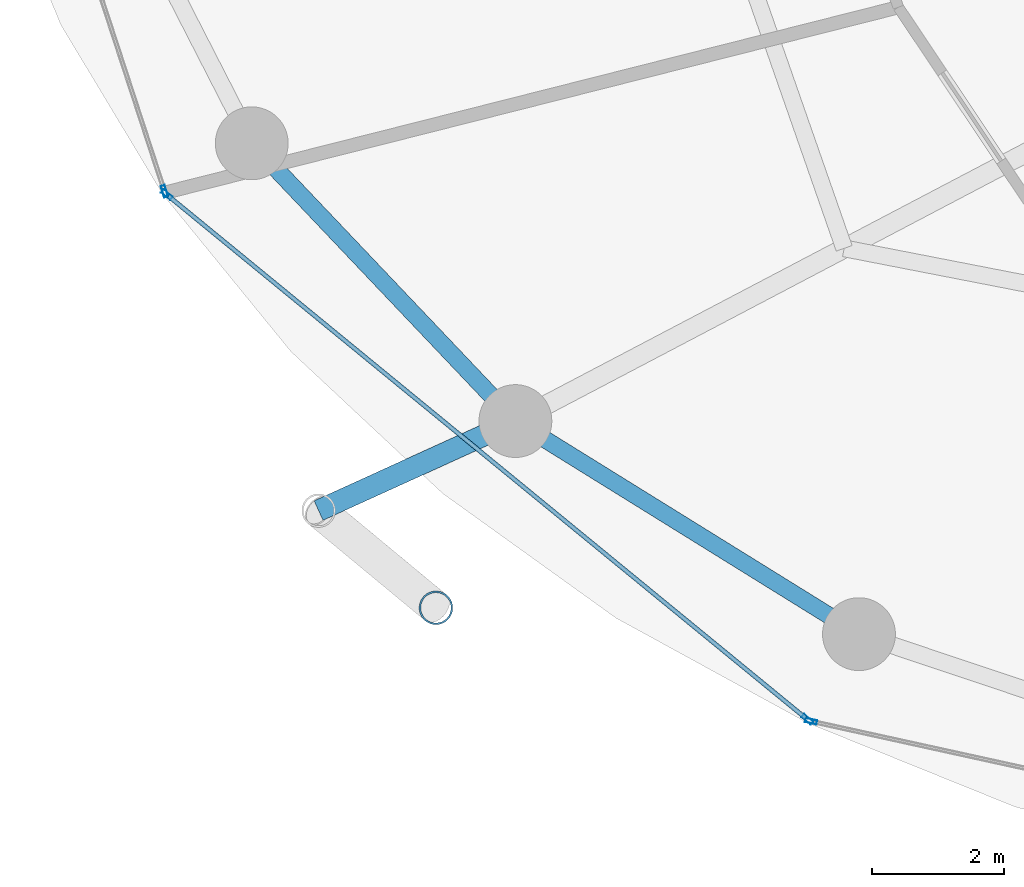
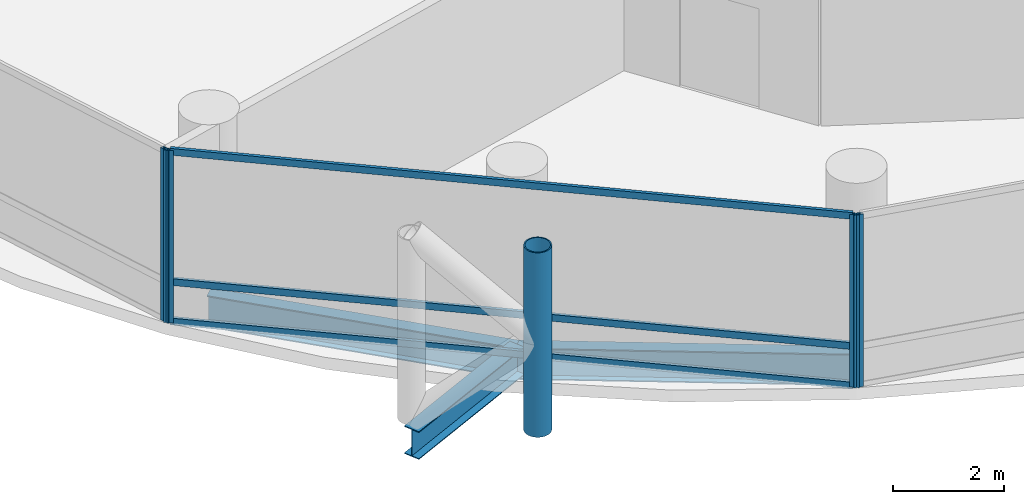
# One storey, part 2 of 24: 8 members, 3 beams, 3 elements without a shape of their own.
"""IFC4 building model written with IfcOpenShell, lengths in metres."""

from ifc_helpers import new_model, si_unit, direction, frame, origin, origin_2d, place, context, subcontext, project, spatial, hollow_rectangle, hollow_circle, i_section, extrude, material, layer, layer_set, material_profile, profile_set, type_object, element, aggregate, save


model = new_model("IFC4")

# Units and contexts
model_context = context("Model", 3, precision=1e-05, world=origin(), true_north=direction((0.0, 1.0)))
body_context = subcontext(model_context, "Body", "Model", "MODEL_VIEW")
ifc_project = project(units=[si_unit("LENGTHUNIT", "METRE"), si_unit("AREAUNIT", "SQUARE_METRE"), si_unit("VOLUMEUNIT", "CUBIC_METRE"), si_unit("PLANEANGLEUNIT", "RADIAN"), si_unit("MASSUNIT", "GRAM", prefix="KILO")], contexts=[model_context])

# Site, building, storey
site_placement = place(None, origin())
site = spatial("IfcSite", under=ifc_project, at=site_placement, CompositionType="ELEMENT")
building_placement = place(site_placement, origin())
building = spatial("IfcBuilding", under=site, at=building_placement, Name="Nuhasar Tower", CompositionType="ELEMENT")
storey_placement = place(building_placement, frame((0.0, 0.0, 25.050048828125)))
storey = spatial("IfcBuildingStorey", under=building, at=storey_placement, Name="L05", CompositionType="ELEMENT", Elevation=25.050048828125)

# Beams
ifc_material_1 = material(Name="Steel S355", Category="steel")
ifc_material_profile_1 = material_profile(ifc_material_1, i_section(OverallWidth=0.256103515625, OverallDepth=0.693115234375, WebThickness=0.014404296875, FlangeThickness=0.023681640625, at=origin_2d()), Name="W27X114")
ifc_profile_set_1 = profile_set([ifc_material_profile_1], Name="Steel S355")
beam_type_1 = type_object("IfcBeamType", Name="BM-RING-W27X114", PredefinedType="SPANDREL", material=ifc_profile_set_1)
beam_1_placement = place(storey_placement, frame((17.305908203125, 16.675048828125, -0.60595703125), z_axis=(0.688459812429, -0.725274490569, 0.0), x_axis=(0.725274490569, 0.688459812429, 0.0)))
element("IfcBeam", 1, at=beam_1_placement, inside=storey, type_object=beam_type_1, Name="L05 Perimeter Ring Spandrel 15", PredefinedType="SPANDREL", context=body_context, shape_type="SweptSolid", body=[
    extrude(i_section(OverallWidth=0.256103515625, OverallDepth=0.693115234375, WebThickness=0.014404296875, FlangeThickness=0.023681640625, at=origin_2d()), origin(), (0.0, 0.0, 1.0), 5.78271484375),
])
beam_2_placement = place(storey_placement, frame((21.287109375, 12.48095703125, -0.60595703125), z_axis=(0.849795216549, -0.527112976439, 0.0), x_axis=(0.527112976439, 0.849795216549, 0.0)))
element("IfcBeam", 2, at=beam_2_placement, inside=storey, type_object=beam_type_1, Name="L05 Perimeter Ring Spandrel 16", PredefinedType="SPANDREL", context=body_context, shape_type="SweptSolid", body=[
    extrude(i_section(OverallWidth=0.256103515625, OverallDepth=0.693115234375, WebThickness=0.014404296875, FlangeThickness=0.023681640625, at=origin_2d()), origin(), (0.0, 0.0, 1.0), 6.10498046875),
])
ifc_material_profile_2 = material_profile(ifc_material_1, i_section(OverallWidth=0.323974609375, OverallDepth=0.611083984375, WebThickness=0.0126953125, FlangeThickness=0.01904296875, at=origin_2d()), Name="W24X104")
ifc_profile_set_2 = profile_set([ifc_material_profile_2], Name="Steel S355")
beam_type_2 = type_object("IfcBeamType", Name="BM-TIE-W24X104", PredefinedType="BEAM", material=ifc_profile_set_2)
beam_3_placement = place(storey_placement, frame((21.287109375, 12.48095703125, -0.56494140625), z_axis=(-0.910243528587, -0.414073325227, 0.0), x_axis=(0.414073325227, -0.910243528587, 0.0)))
element("IfcBeam", 3, at=beam_3_placement, inside=storey, type_object=beam_type_2, Name="L05 Exoskeleton Node Tie Beam 08", PredefinedType="BEAM", context=body_context, shape_type="SweptSolid", body=[
    extrude(i_section(OverallWidth=0.323974609375, OverallDepth=0.611083984375, WebThickness=0.0126953125, FlangeThickness=0.01904296875, at=origin_2d()), origin(), (0.0, 0.0, 1.0), 3.26513671875),
])

# Curtain wall, member
ifc_material_2 = material(Name="Aluminium 6063-T6", Category="aluminium")
ifc_layer = layer(ifc_material_2, 0.199951171875)
ifc_layer_set = layer_set([ifc_layer], Name="Aluminium 6063-T6")
curtain_wall_type = type_object("IfcCurtainWallType", Name="CW-Z1-OFF", PredefinedType="NOTDEFINED", material=ifc_layer_set)
curtain_wall_1_placement = place(storey_placement, origin())
curtain_wall_1 = element("IfcCurtainWall", 4, at=curtain_wall_1_placement, inside=storey, type_object=curtain_wall_type, Name="L05 Unitised Curtain Wall 07", PredefinedType="NOTDEFINED")
ifc_material_profile_3 = material_profile(ifc_material_2, hollow_rectangle(XDim=0.06494140625, YDim=0.179931640625, WallThickness=0.0048828125, at=origin_2d()), Name="CWM-2")
ifc_profile_set_3 = profile_set([ifc_material_profile_3], Name="Aluminium 6063-T6")
member_type_1 = type_object("IfcMemberType", Name="CW-MUL-S2", PredefinedType="MULLION", material=ifc_profile_set_3)
member_1_placement = place(storey_placement, frame((15.98779296875, 15.950927734375, 0.0), z_axis=(0.0, 0.0, 1.0), x_axis=(0.950467534571, 0.310823849997, 0.0)))
member_1 = element("IfcMember", 5, at=member_1_placement, type_object=member_type_1, Name="CW-Z1 mullion 2", PredefinedType="MULLION", context=body_context, shape_type="SweptSolid", body=[
    extrude(hollow_rectangle(XDim=0.06494140625, YDim=0.179931640625, WallThickness=0.0048828125, at=origin_2d()), origin(), (0.0, 0.0, 1.0), 3.7900390625),
])
aggregate(curtain_wall_1, [member_1])

# Curtain wall, members
curtain_wall_2_placement = place(storey_placement, origin())
curtain_wall_2 = element("IfcCurtainWall", 6, at=curtain_wall_2_placement, inside=storey, type_object=curtain_wall_type, Name="L05 Unitised Curtain Wall 08", PredefinedType="NOTDEFINED")
member_2_placement = place(storey_placement, frame((16.023193359375, 15.8994140625, 0.0), z_axis=(0.0, 0.0, 1.0), x_axis=(0.633744593376, 0.773542364946, 0.0)))
member_2 = element("IfcMember", 7, at=member_2_placement, type_object=member_type_1, Name="CW-Z1 mullion 1", PredefinedType="MULLION", context=body_context, shape_type="SweptSolid", body=[
    extrude(hollow_rectangle(XDim=0.06494140625, YDim=0.179931640625, WallThickness=0.0048828125, at=origin_2d()), origin(), (0.0, 0.0, 1.0), 3.7900390625),
])
member_3_placement = place(storey_placement, frame((25.69482421875, 7.9755859375, 0.0), z_axis=(0.0, 0.0, 1.0), x_axis=(0.633744593376, 0.773542364946, 0.0)))
member_3 = element("IfcMember", 8, at=member_3_placement, type_object=member_type_1, Name="CW-Z1 mullion 2", PredefinedType="MULLION", context=body_context, shape_type="SweptSolid", body=[
    extrude(hollow_rectangle(XDim=0.06494140625, YDim=0.179931640625, WallThickness=0.0048828125, at=origin_2d()), origin(), (0.0, 0.0, 1.0), 3.7900390625),
])

# Curtain wall, member
curtain_wall_3_placement = place(storey_placement, origin())
curtain_wall_3 = element("IfcCurtainWall", 9, at=curtain_wall_3_placement, inside=storey, type_object=curtain_wall_type, Name="L05 Unitised Curtain Wall 09", PredefinedType="NOTDEFINED")
member_4_placement = place(storey_placement, frame((25.751708984375, 7.947998046875, 0.0), z_axis=(0.0, 0.0, 1.0), x_axis=(0.214398737637, 0.976746221544, 0.0)))
member_4 = element("IfcMember", 10, at=member_4_placement, type_object=member_type_1, Name="CW-Z1 mullion 1", PredefinedType="MULLION", context=body_context, shape_type="SweptSolid", body=[
    extrude(hollow_rectangle(XDim=0.06494140625, YDim=0.179931640625, WallThickness=0.0048828125, at=origin_2d()), origin(), (0.0, 0.0, 1.0), 3.7900390625),
])
aggregate(curtain_wall_3, [member_4])

# Member
ifc_material_profile_4 = material_profile(ifc_material_2, hollow_rectangle(XDim=0.06494140625, YDim=0.14990234375, WallThickness=0.00439453125, at=origin_2d()), Name="CWT-2")
ifc_profile_set_4 = profile_set([ifc_material_profile_4], Name="Aluminium 6063-T6")
member_type_2 = type_object("IfcMemberType", Name="CW-TRN-S2", PredefinedType="USERDEFINED", material=ifc_profile_set_4)
member_5_placement = place(storey_placement, frame((16.04833984375, 15.87890625, 0.032470703125), z_axis=(0.773531229158, -0.633758185365, 0.0), x_axis=(0.633758185365, 0.773531229158, 0.0)))
member_5 = element("IfcMember", 11, at=member_5_placement, type_object=member_type_2, Name="CW-Z1 transom 1.1", ObjectType="TRANSOM", PredefinedType="USERDEFINED", context=body_context, shape_type="SweptSolid", body=[
    extrude(hollow_rectangle(XDim=0.06494140625, YDim=0.14990234375, WallThickness=0.00439453125, at=origin_2d()), origin(), (0.0, 0.0, 1.0), 12.438232421875),
])

member_6_placement = place(storey_placement, frame((16.04833984375, 15.87890625, 0.89990234375), z_axis=(0.773531229158, -0.633758185365, 0.0), x_axis=(0.633758185365, 0.773531229158, 0.0)))
member_6 = element("IfcMember", 12, at=member_6_placement, type_object=member_type_2, Name="CW-Z1 transom 1.2", ObjectType="TRANSOM", PredefinedType="USERDEFINED", context=body_context, shape_type="SweptSolid", body=[
    extrude(hollow_rectangle(XDim=0.06494140625, YDim=0.14990234375, WallThickness=0.00439453125, at=origin_2d()), origin(), (0.0, 0.0, 1.0), 12.438232421875),
])

member_7_placement = place(storey_placement, frame((16.04833984375, 15.87890625, 3.757568359375), z_axis=(0.773531229158, -0.633758185365, 0.0), x_axis=(0.633758185365, 0.773531229158, 0.0)))
member_7 = element("IfcMember", 13, at=member_7_placement, type_object=member_type_2, Name="CW-Z1 transom 1.3", ObjectType="TRANSOM", PredefinedType="USERDEFINED", context=body_context, shape_type="SweptSolid", body=[
    extrude(hollow_rectangle(XDim=0.06494140625, YDim=0.14990234375, WallThickness=0.00439453125, at=origin_2d()), origin(), (0.0, 0.0, 1.0), 12.438232421875),
])

aggregate(curtain_wall_2, [member_2, member_3, member_5, member_6, member_7])

ifc_material_3 = material(Name="Steel S460", Category="steel")
ifc_material_profile_5 = material_profile(ifc_material_3, hollow_circle(Radius=0.25390625, WallThickness=0.025390625, at=origin_2d()), Name="HSS508X25.4")
ifc_profile_set_5 = profile_set([ifc_material_profile_5], Name="Steel S460")
member_type_3 = type_object("IfcMemberType", Name="EXO-BRONZE-508", PredefinedType="BRACE", material=ifc_profile_set_5)
member_8_placement = place(storey_placement, frame((20.0869140625, 9.660888671875, 0.0), z_axis=(0.0, 0.0, 1.0), x_axis=(1.0, 0.0, 0.0)))
element("IfcMember", 14, at=member_8_placement, inside=storey, type_object=member_type_3, Name="L05 Exoskeleton Chord Column EC-08B", PredefinedType="BRACE", context=body_context, shape_type="SweptSolid", body=[
    extrude(hollow_circle(Radius=0.25390625, WallThickness=0.025390625, at=origin_2d()), origin(), (0.0, 0.0, 1.0), 4.050048828125),
])

save(model, "model.ifc")
